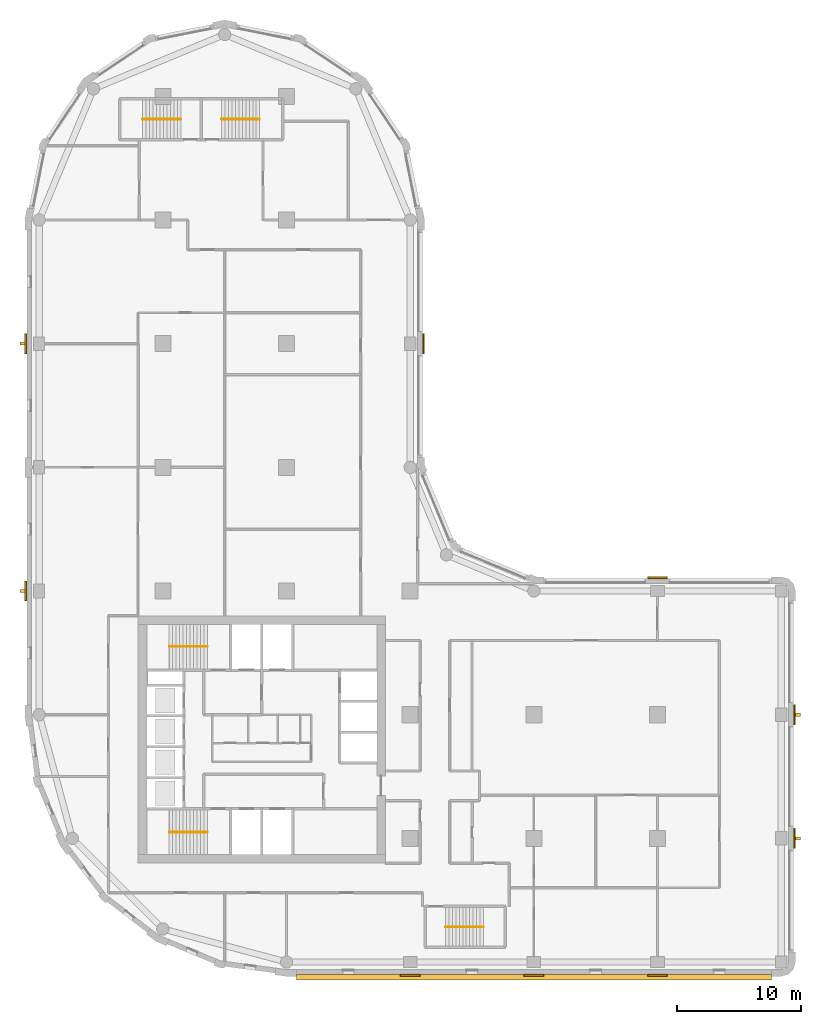
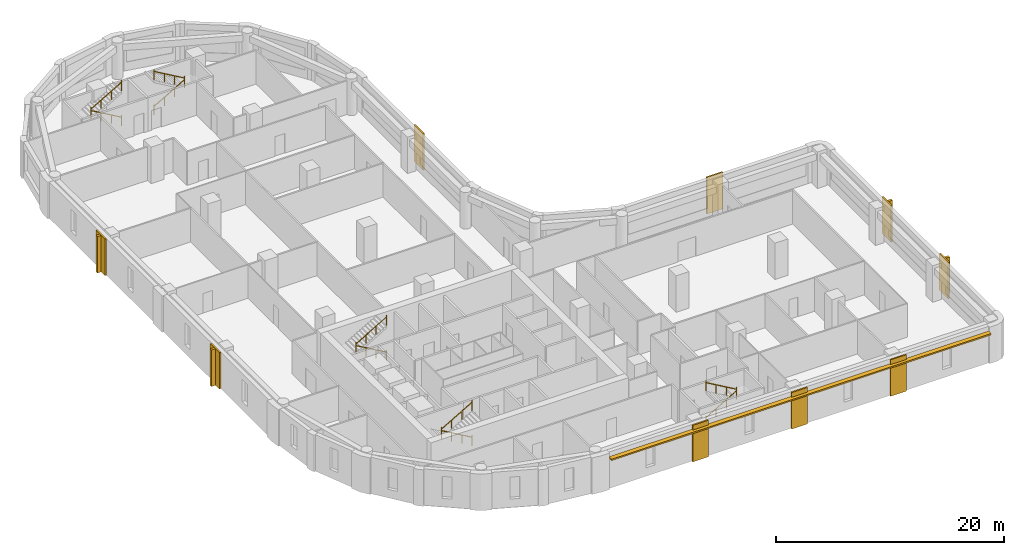
# One storey, part 9 of 10: 10 railings, 9 coverings, 5 shading devices.
"""IFC4 building model written with IfcOpenShell, lengths in metres."""

from ifc_helpers import new_model, si_unit, direction, frame, origin, origin_2d, place, context, subcontext, project, spatial, polyline, rectangle, circle, outline, extrude, material, layer, layer_set, type_object, element, save


model = new_model("IFC4")

# Units and contexts
model_context = context("Model", 3, precision=1e-05, world=origin(), true_north=direction((0.0, 1.0)))
body_context = subcontext(model_context, "Body", "Model", "MODEL_VIEW")
ifc_project = project(units=[si_unit("LENGTHUNIT", "METRE"), si_unit("AREAUNIT", "SQUARE_METRE"), si_unit("VOLUMEUNIT", "CUBIC_METRE"), si_unit("PLANEANGLEUNIT", "RADIAN"), si_unit("MASSUNIT", "GRAM", prefix="KILO")], contexts=[model_context])

# Site, building, storey
site_placement = place(None, origin())
site = spatial("IfcSite", under=ifc_project, at=site_placement, CompositionType="ELEMENT")
building_placement = place(site_placement, origin())
building = spatial("IfcBuilding", under=site, at=building_placement, Name="Qaws Garden Tower", CompositionType="ELEMENT")
storey_placement = place(building_placement, frame((0.0, 0.0, 205.800048828125)))
storey = spatial("IfcBuildingStorey", under=building, at=storey_placement, Name="L50", CompositionType="ELEMENT", Elevation=205.800048828125)

# Shading devices
ifc_material_1 = material(Name="Clay facing brick masonry", Category="masonry")
ifc_layer_1 = layer(ifc_material_1, 0.14990234375)
ifc_layer_set_1 = layer_set([ifc_layer_1], Name="Clay facing brick masonry")
shading_device_type_1 = type_object("IfcShadingDeviceType", Name="Brick sunshade band 450 x 150", PredefinedType="JALOUSIE", material=ifc_layer_set_1)
shading_device_placement = place(storey_placement, frame((0.0, 0.0, 3.25)))
element("IfcShadingDevice", 1, at=shading_device_placement, inside=storey, type_object=shading_device_type_1, Name="SUNSHADE 00", PredefinedType="JALOUSIE", context=body_context, shape_type="SweptSolid", body=[
    extrude(outline(polyline([(20.800048828125, -1.0), (20.800048828125, -1.449951171875), (59.199951171875, -1.449951171875), (59.199951171875, -1.0), (50.800048828125, -1.0), (50.800048828125, -1.14990234375), (49.199951171875, -1.14990234375), (49.199951171875, -1.0), (40.800048828125, -1.0), (40.800048828125, -1.14990234375), (39.199951171875, -1.14990234375), (39.199951171875, -1.0), (30.800048828125, -1.0), (30.800048828125, -1.14990234375), (29.199951171875, -1.14990234375), (29.199951171875, -1.0), (20.800048828125, -1.0)])), origin(), (0.0, 0.0, 1.0), 0.14990234375),
])
ifc_material_2 = material(Name="Clay facing brick masonry", Category="masonry")
ifc_layer_2 = layer(ifc_material_2, 0.25)
ifc_layer_set_2 = layer_set([ifc_layer_2], Name="Clay facing brick masonry")
shading_device_type_2 = type_object("IfcShadingDeviceType", Name="Brick-faced fin 250 x 400", PredefinedType="USERDEFINED", material=ifc_layer_set_2)
for number, where, z_axis, x_axis, name in (
    (2, (61.35009765625, 10.0, 0.0), (0.0, 0.0, 1.0), (0.0, 1.0, 0.0), "FIN 05"),
    (3, (61.35009765625, 20.0, 0.0), (0.0, 0.0, 1.0), (0.0, 1.0, 0.0), "FIN 06"),
    (4, (-1.35009765625, 50.0, 0.0), (0.0, 0.0, 1.0), (0.0, -1.0, 0.0), "FIN 22"),
    (5, (-1.35009765625, 30.0, 0.0), (0.0, 0.0, 1.0), (0.0, -1.0, 0.0), "FIN 24"),
):
    element("IfcShadingDevice", number, at=place(storey_placement, frame(where, z_axis=z_axis, x_axis=x_axis)), inside=storey, type_object=shading_device_type_2, Name=name, ObjectType="FIN", PredefinedType="USERDEFINED", context=body_context, shape_type="SweptSolid", body=[
        extrude(rectangle(XDim=0.25, YDim=0.39990234375, at=origin_2d()), origin(), (0.0, 0.0, 1.0), 3.89990234375),
    ])

# Coverings
ifc_material_3 = material(Name="Buff clay facing brick masonry", Category="masonry")
ifc_layer_3 = layer(ifc_material_3, 0.14990234375)
ifc_layer_set_3 = layer_set([ifc_layer_3], Name="Buff clay facing brick masonry")
covering_type = type_object("IfcCoveringType", Name="Buff brick pilaster facing 150 x 1600", PredefinedType="CLADDING", material=ifc_layer_set_3)
placement = place(storey_placement, origin())
element("IfcCovering", 6, at=placement, inside=storey, type_object=covering_type, Name="E-L50-pier-01", PredefinedType="CLADDING", context=body_context, shape_type="SweptSolid", body=[
    extrude(outline(polyline([(29.199951171875, -1.0), (30.800048828125, -1.0), (30.800048828125, -1.14990234375), (29.199951171875, -1.14990234375), (29.199951171875, -1.0)])), origin(), (0.0, 0.0, 1.0), 3.89990234375),
])
element("IfcCovering", 7, at=placement, inside=storey, type_object=covering_type, Name="E-L50-pier-02", PredefinedType="CLADDING", context=body_context, shape_type="SweptSolid", body=[
    extrude(outline(polyline([(39.199951171875, -1.0), (40.800048828125, -1.0), (40.800048828125, -1.14990234375), (39.199951171875, -1.14990234375), (39.199951171875, -1.0)])), origin(), (0.0, 0.0, 1.0), 3.89990234375),
])
element("IfcCovering", 8, at=placement, inside=storey, type_object=covering_type, Name="E-L50-pier-03", PredefinedType="CLADDING", context=body_context, shape_type="SweptSolid", body=[
    extrude(outline(polyline([(49.199951171875, -1.0), (50.800048828125, -1.0), (50.800048828125, -1.14990234375), (49.199951171875, -1.14990234375), (49.199951171875, -1.0)])), origin(), (0.0, 0.0, 1.0), 3.89990234375),
])
element("IfcCovering", 9, at=placement, inside=storey, type_object=covering_type, Name="E-L50-pier-05", PredefinedType="CLADDING", context=body_context, shape_type="SweptSolid", body=[
    extrude(outline(polyline([(61.0, 9.199951171875), (61.0, 10.800048828125), (61.14990234375, 10.800048828125), (61.14990234375, 9.199951171875), (61.0, 9.199951171875)])), origin(), (0.0, 0.0, 1.0), 3.89990234375),
])
element("IfcCovering", 10, at=placement, inside=storey, type_object=covering_type, Name="E-L50-pier-06", PredefinedType="CLADDING", context=body_context, shape_type="SweptSolid", body=[
    extrude(outline(polyline([(61.0, 19.199951171875), (61.0, 20.800048828125), (61.14990234375, 20.800048828125), (61.14990234375, 19.199951171875), (61.0, 19.199951171875)])), origin(), (0.0, 0.0, 1.0), 3.89990234375),
])
element("IfcCovering", 11, at=placement, inside=storey, type_object=covering_type, Name="E-L50-pier-08", PredefinedType="CLADDING", context=body_context, shape_type="SweptSolid", body=[
    extrude(outline(polyline([(50.800048828125, 31.0), (49.199951171875, 31.0), (49.199951171875, 31.14990234375), (50.800048828125, 31.14990234375), (50.800048828125, 31.0)])), origin(), (0.0, 0.0, 1.0), 3.89990234375),
])
element("IfcCovering", 12, at=placement, inside=storey, type_object=covering_type, Name="E-L50-pier-12", PredefinedType="CLADDING", context=body_context, shape_type="SweptSolid", body=[
    extrude(outline(polyline([(31.0, 49.199951171875), (31.0, 50.800048828125), (31.14990234375, 50.800048828125), (31.14990234375, 49.199951171875), (31.0, 49.199951171875)])), origin(), (0.0, 0.0, 1.0), 3.89990234375),
])
element("IfcCovering", 13, at=placement, inside=storey, type_object=covering_type, Name="E-L50-pier-22", PredefinedType="CLADDING", context=body_context, shape_type="SweptSolid", body=[
    extrude(outline(polyline([(-1.0, 50.800048828125), (-1.0, 49.199951171875), (-1.14990234375, 49.199951171875), (-1.14990234375, 50.800048828125), (-1.0, 50.800048828125)])), origin(), (0.0, 0.0, 1.0), 3.89990234375),
])
element("IfcCovering", 14, at=placement, inside=storey, type_object=covering_type, Name="E-L50-pier-24", PredefinedType="CLADDING", context=body_context, shape_type="SweptSolid", body=[
    extrude(outline(polyline([(-1.0, 30.800048828125), (-1.0, 29.199951171875), (-1.14990234375, 29.199951171875), (-1.14990234375, 30.800048828125), (-1.0, 30.800048828125)])), origin(), (0.0, 0.0, 1.0), 3.89990234375),
])

# Railings
ifc_material_4 = material(Name="Steel S355", Category="steel")
railing_type = type_object("IfcRailingType", Name="Stair handrail 900", PredefinedType="HANDRAIL", material=ifc_material_4)
railing_1_placement = place(storey_placement, frame((13.60009765625, 10.5, 0.162353515625)))
element("IfcRailing", 15, at=railing_1_placement, inside=storey, type_object=railing_type, Name="Stair 1 handrail", PredefinedType="HANDRAIL", context=body_context, shape_type="SweptSolid", body=[
    extrude(circle(Radius=0.02392578125, at=origin_2d()), frame((0.0, 0.0, 0.8759765625), z_axis=(-0.864890721111, 0.0, 0.501960198159), x_axis=(0.0, -1.0, 0.0)), (0.0, 0.0, 1.0), 3.561279296875),
    extrude(circle(Radius=0.02099609375, at=origin_2d()), origin(), (0.0, 0.0, 1.0), 1.06201171875),
    extrude(circle(Radius=0.02099609375, at=origin_2d()), frame((-1.026611328125, 0.0, 0.595947265625)), (0.0, 0.0, 1.0), 0.851806640625),
    extrude(circle(Radius=0.02099609375, at=origin_2d()), frame((-2.053466796875, 0.0, 1.191650390625)), (0.0, 0.0, 1.0), 0.851806640625),
    extrude(circle(Radius=0.02099609375, at=origin_2d()), frame((-3.080078125, 0.0, 1.78759765625)), (0.0, 0.0, 1.0), 1.06201171875),
])
railing_2_placement = place(storey_placement, frame((10.52001953125, 10.5, 2.112548828125)))
element("IfcRailing", 16, at=railing_2_placement, inside=storey, type_object=railing_type, Name="Stair 1 handrail", PredefinedType="HANDRAIL", context=body_context, shape_type="SweptSolid", body=[
    extrude(circle(Radius=0.02392578125, at=origin_2d()), frame((0.0, 0.0, 0.8759765625), z_axis=(0.864920483161, 0.0, 0.501908913857), x_axis=(0.0, 1.0, 0.0)), (0.0, 0.0, 1.0), 3.56103515625),
    extrude(circle(Radius=0.02099609375, at=origin_2d()), origin(), (0.0, 0.0, 1.0), 1.06201171875),
    extrude(circle(Radius=0.02099609375, at=origin_2d()), frame((1.026611328125, 0.0, 0.595703125)), (0.0, 0.0, 1.0), 0.851806640625),
    extrude(circle(Radius=0.02099609375, at=origin_2d()), frame((2.053466796875, 0.0, 1.191650390625)), (0.0, 0.0, 1.0), 0.851806640625),
    extrude(circle(Radius=0.02099609375, at=origin_2d()), frame((3.080078125, 0.0, 1.787353515625)), (0.0, 0.0, 1.0), 1.06201171875),
])
railing_3_placement = place(storey_placement, frame((13.60009765625, 25.5, 0.162353515625)))
element("IfcRailing", 17, at=railing_3_placement, inside=storey, type_object=railing_type, Name="Stair 4 handrail", PredefinedType="HANDRAIL", context=body_context, shape_type="SweptSolid", body=[
    extrude(circle(Radius=0.02392578125, at=origin_2d()), frame((0.0, 0.0, 0.8759765625), z_axis=(-0.864890721111, 0.0, 0.501960198159), x_axis=(0.0, -1.0, 0.0)), (0.0, 0.0, 1.0), 3.561279296875),
    extrude(circle(Radius=0.02099609375, at=origin_2d()), origin(), (0.0, 0.0, 1.0), 1.06201171875),
    extrude(circle(Radius=0.02099609375, at=origin_2d()), frame((-1.026611328125, 0.0, 0.595947265625)), (0.0, 0.0, 1.0), 0.851806640625),
    extrude(circle(Radius=0.02099609375, at=origin_2d()), frame((-2.053466796875, 0.0, 1.191650390625)), (0.0, 0.0, 1.0), 0.851806640625),
    extrude(circle(Radius=0.02099609375, at=origin_2d()), frame((-3.080078125, 0.0, 1.78759765625)), (0.0, 0.0, 1.0), 1.06201171875),
])
railing_4_placement = place(storey_placement, frame((10.52001953125, 25.5, 2.112548828125)))
element("IfcRailing", 18, at=railing_4_placement, inside=storey, type_object=railing_type, Name="Stair 4 handrail", PredefinedType="HANDRAIL", context=body_context, shape_type="SweptSolid", body=[
    extrude(circle(Radius=0.02392578125, at=origin_2d()), frame((0.0, 0.0, 0.8759765625), z_axis=(0.864920483161, 0.0, 0.501908913857), x_axis=(0.0, 1.0, 0.0)), (0.0, 0.0, 1.0), 3.56103515625),
    extrude(circle(Radius=0.02099609375, at=origin_2d()), origin(), (0.0, 0.0, 1.0), 1.06201171875),
    extrude(circle(Radius=0.02099609375, at=origin_2d()), frame((1.026611328125, 0.0, 0.595703125)), (0.0, 0.0, 1.0), 0.851806640625),
    extrude(circle(Radius=0.02099609375, at=origin_2d()), frame((2.053466796875, 0.0, 1.191650390625)), (0.0, 0.0, 1.0), 0.851806640625),
    extrude(circle(Radius=0.02099609375, at=origin_2d()), frame((3.080078125, 0.0, 1.787353515625)), (0.0, 0.0, 1.0), 1.06201171875),
])
railing_5_placement = place(storey_placement, frame((32.85009765625, 2.85009765625, 0.162353515625)))
element("IfcRailing", 19, at=railing_5_placement, inside=storey, type_object=railing_type, Name="Stair 5 handrail", PredefinedType="HANDRAIL", context=body_context, shape_type="SweptSolid", body=[
    extrude(circle(Radius=0.02392578125, at=origin_2d()), frame((0.0, 0.0, 0.8759765625), z_axis=(0.864873446163, 0.0, 0.501989962173), x_axis=(0.0, 1.0, 0.0)), (0.0, 0.0, 1.0), 3.56103515625),
    extrude(circle(Radius=0.02099609375, at=origin_2d()), origin(), (0.0, 0.0, 1.0), 1.06201171875),
    extrude(circle(Radius=0.02099609375, at=origin_2d()), frame((1.026611328125, 0.0, 0.595947265625)), (0.0, 0.0, 1.0), 0.851806640625),
    extrude(circle(Radius=0.02099609375, at=origin_2d()), frame((2.05322265625, 0.0, 1.191650390625)), (0.0, 0.0, 1.0), 0.851806640625),
    extrude(circle(Radius=0.02099609375, at=origin_2d()), frame((3.079833984375, 0.0, 1.78759765625)), (0.0, 0.0, 1.0), 1.06201171875),
])
railing_6_placement = place(storey_placement, frame((35.929931640625, 2.85009765625, 2.112548828125)))
element("IfcRailing", 20, at=railing_6_placement, inside=storey, type_object=railing_type, Name="Stair 5 handrail", PredefinedType="HANDRAIL", context=body_context, shape_type="SweptSolid", body=[
    extrude(circle(Radius=0.02392578125, at=origin_2d()), frame((0.0, 0.0, 0.8759765625), z_axis=(-0.864903211148, 0.0, 0.501938676878), x_axis=(0.0, -1.0, 0.0)), (0.0, 0.0, 1.0), 3.560791015625),
    extrude(circle(Radius=0.02099609375, at=origin_2d()), origin(), (0.0, 0.0, 1.0), 1.06201171875),
    extrude(circle(Radius=0.02099609375, at=origin_2d()), frame((-1.026611328125, 0.0, 0.595703125)), (0.0, 0.0, 1.0), 0.851806640625),
    extrude(circle(Radius=0.02099609375, at=origin_2d()), frame((-2.05322265625, 0.0, 1.191650390625)), (0.0, 0.0, 1.0), 0.851806640625),
    extrude(circle(Radius=0.02099609375, at=origin_2d()), frame((-3.079833984375, 0.0, 1.787353515625)), (0.0, 0.0, 1.0), 1.06201171875),
])
railing_7_placement = place(storey_placement, frame((11.449951171875, 68.14990234375, 0.162353515625)))
element("IfcRailing", 21, at=railing_7_placement, inside=storey, type_object=railing_type, Name="Stair 6 handrail", PredefinedType="HANDRAIL", context=body_context, shape_type="SweptSolid", body=[
    extrude(circle(Radius=0.02392578125, at=origin_2d()), frame((0.0, 0.0, 0.8759765625), z_axis=(-0.864873446163, 0.0, 0.501989962173), x_axis=(0.0, -1.0, 0.0)), (0.0, 0.0, 1.0), 3.56103515625),
    extrude(circle(Radius=0.02099609375, at=origin_2d()), origin(), (0.0, 0.0, 1.0), 1.06201171875),
    extrude(circle(Radius=0.02099609375, at=origin_2d()), frame((-1.026611328125, 0.0, 0.595947265625)), (0.0, 0.0, 1.0), 0.851806640625),
    extrude(circle(Radius=0.02099609375, at=origin_2d()), frame((-2.05322265625, 0.0, 1.191650390625)), (0.0, 0.0, 1.0), 0.851806640625),
    extrude(circle(Radius=0.02099609375, at=origin_2d()), frame((-3.079833984375, 0.0, 1.78759765625)), (0.0, 0.0, 1.0), 1.06201171875),
])
railing_8_placement = place(storey_placement, frame((8.3701171875, 68.14990234375, 2.112548828125)))
element("IfcRailing", 22, at=railing_8_placement, inside=storey, type_object=railing_type, Name="Stair 6 handrail", PredefinedType="HANDRAIL", context=body_context, shape_type="SweptSolid", body=[
    extrude(circle(Radius=0.02392578125, at=origin_2d()), frame((0.0, 0.0, 0.8759765625), z_axis=(0.864903211148, 0.0, 0.501938676878), x_axis=(0.0, 1.0, 0.0)), (0.0, 0.0, 1.0), 3.560791015625),
    extrude(circle(Radius=0.02099609375, at=origin_2d()), origin(), (0.0, 0.0, 1.0), 1.06201171875),
    extrude(circle(Radius=0.02099609375, at=origin_2d()), frame((1.026611328125, 0.0, 0.595703125)), (0.0, 0.0, 1.0), 0.851806640625),
    extrude(circle(Radius=0.02099609375, at=origin_2d()), frame((2.05322265625, 0.0, 1.191650390625)), (0.0, 0.0, 1.0), 0.851806640625),
    extrude(circle(Radius=0.02099609375, at=origin_2d()), frame((3.079833984375, 0.0, 1.787353515625)), (0.0, 0.0, 1.0), 1.06201171875),
])
railing_9_placement = place(storey_placement, frame((14.75, 68.14990234375, 0.162353515625)))
element("IfcRailing", 23, at=railing_9_placement, inside=storey, type_object=railing_type, Name="Stair 7 handrail", PredefinedType="HANDRAIL", context=body_context, shape_type="SweptSolid", body=[
    extrude(circle(Radius=0.02392578125, at=origin_2d()), frame((0.0, 0.0, 0.8759765625), z_axis=(0.864890721111, 0.0, 0.501960198159), x_axis=(0.0, 1.0, 0.0)), (0.0, 0.0, 1.0), 3.561279296875),
    extrude(circle(Radius=0.02099609375, at=origin_2d()), origin(), (0.0, 0.0, 1.0), 1.06201171875),
    extrude(circle(Radius=0.02099609375, at=origin_2d()), frame((1.026611328125, 0.0, 0.595947265625)), (0.0, 0.0, 1.0), 0.851806640625),
    extrude(circle(Radius=0.02099609375, at=origin_2d()), frame((2.053466796875, 0.0, 1.191650390625)), (0.0, 0.0, 1.0), 0.851806640625),
    extrude(circle(Radius=0.02099609375, at=origin_2d()), frame((3.080078125, 0.0, 1.78759765625)), (0.0, 0.0, 1.0), 1.06201171875),
])
railing_10_placement = place(storey_placement, frame((17.830078125, 68.14990234375, 2.112548828125)))
element("IfcRailing", 24, at=railing_10_placement, inside=storey, type_object=railing_type, Name="Stair 7 handrail", PredefinedType="HANDRAIL", context=body_context, shape_type="SweptSolid", body=[
    extrude(circle(Radius=0.02392578125, at=origin_2d()), frame((0.0, 0.0, 0.8759765625), z_axis=(-0.864920483161, 0.0, 0.501908913857), x_axis=(0.0, -1.0, 0.0)), (0.0, 0.0, 1.0), 3.56103515625),
    extrude(circle(Radius=0.02099609375, at=origin_2d()), origin(), (0.0, 0.0, 1.0), 1.06201171875),
    extrude(circle(Radius=0.02099609375, at=origin_2d()), frame((-1.026611328125, 0.0, 0.595703125)), (0.0, 0.0, 1.0), 0.851806640625),
    extrude(circle(Radius=0.02099609375, at=origin_2d()), frame((-2.053466796875, 0.0, 1.191650390625)), (0.0, 0.0, 1.0), 0.851806640625),
    extrude(circle(Radius=0.02099609375, at=origin_2d()), frame((-3.080078125, 0.0, 1.787353515625)), (0.0, 0.0, 1.0), 1.06201171875),
])

save(model, "model.ifc")
